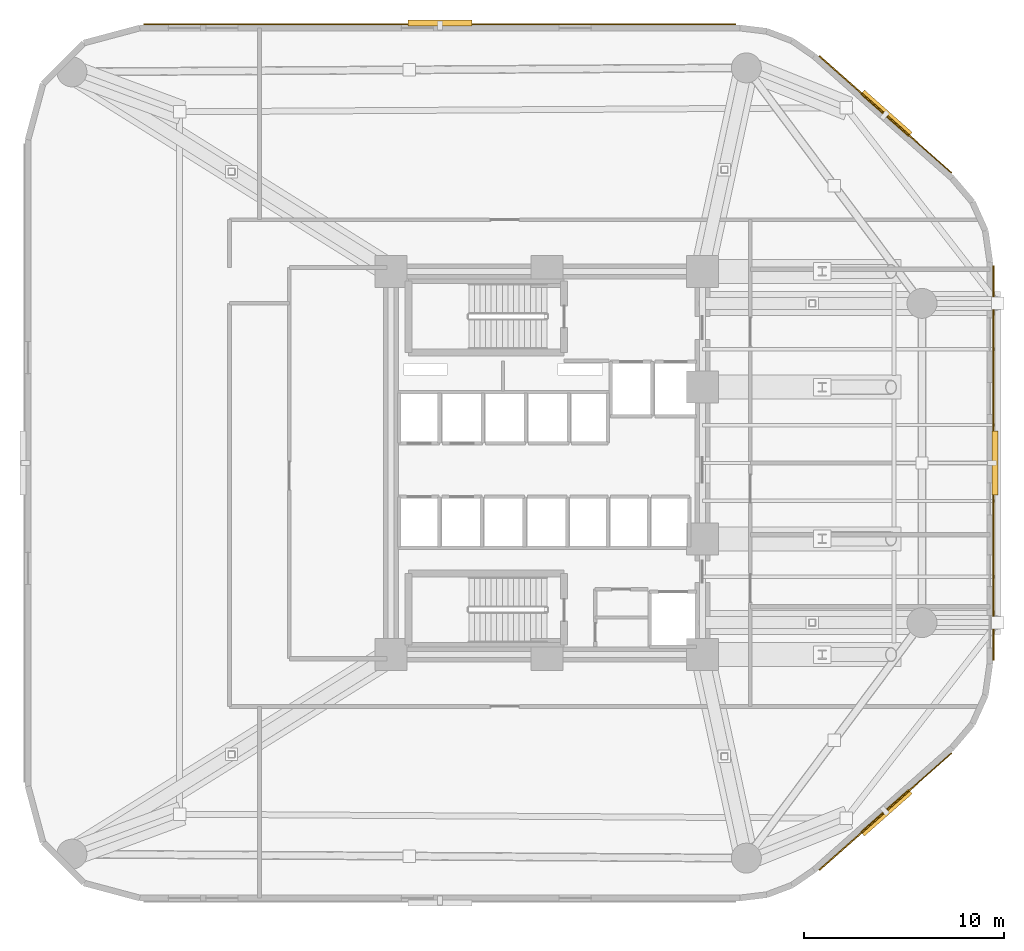
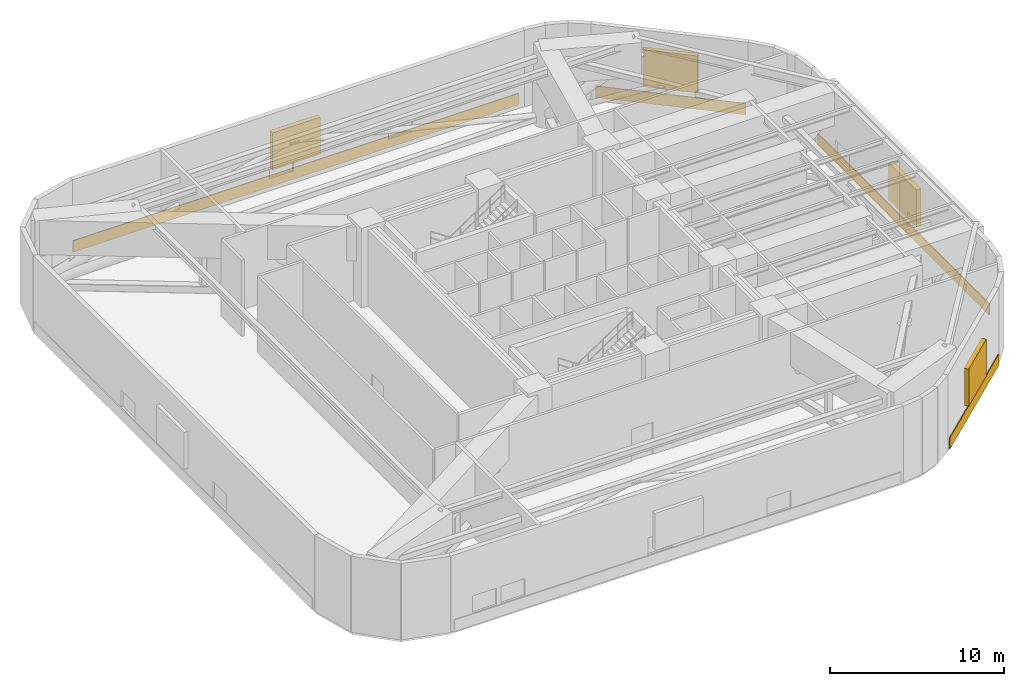
# One storey, part 11 of 11: 4 coverings, 4 shading devices.
"""IFC4 building model written with IfcOpenShell, lengths in metres."""

import ifcopenshell
import ifcopenshell.guid

model = None  # the IFC model being written
_history = None  # IfcOwnerHistory: only IFC2X3 demands one
_inside = {}  # id of a spatial element -> (the spatial element, [elements in it])
_under = {}  # id of a project, library or spatial element -> (it, [spatial elements below it])
_declared = {}  # id of a project -> (the project, [libraries it declares])
_typed = {}  # id of a type object -> (the type object, [elements of that type])
_made_of = {}  # id of a material, layer set ... -> (it, [elements and type objects made of it])


def new_model(schema):
    """Start an empty IFC model of exactly this schema.

    Asked for "IFC4X3", IfcOpenShell would pick the latest addendum, in which some entities
    have other attributes; the version numbers below select the first issue.
    IFC2X3 requires an IfcOwnerHistory on every rooted entity: one is made here for all.
    """
    global model, _history
    if schema == "IFC4X3":
        model = ifcopenshell.file(schema_version=(4, 3, 0, 0))
    else:
        model = ifcopenshell.file(schema=schema)
    _inside.clear()
    _under.clear()
    _declared.clear()
    _typed.clear()
    _made_of.clear()
    _history = None
    if model.schema == "IFC2X3":
        org = make("IfcOrganization", Name="unknown")
        user = make(
            "IfcPersonAndOrganization",
            ThePerson=make("IfcPerson", FamilyName="unknown"),
            TheOrganization=org,
        )
        app = make(
            "IfcApplication",
            ApplicationDeveloper=org,
            Version="unknown",
            ApplicationFullName="unknown",
            ApplicationIdentifier="unknown",
        )
        _history = make(
            "IfcOwnerHistory",
            OwningUser=user,
            OwningApplication=app,
            ChangeAction="ADDED",
            CreationDate=0,
        )
    return model


def make(cls, **values):
    """One entity of the class cls with the attributes given. An attribute that is None is left unset."""
    return model.create_entity(
        cls, **{name: value for name, value in values.items() if value is not None}
    )


def rooted(cls, **values):
    """An entity with a GlobalId (a new one), such as an element, a storey or a relation."""
    return make(cls, GlobalId=ifcopenshell.guid.new(), OwnerHistory=_history, **values)


def si_unit(unit_type, name, prefix=None):
    """IfcSIUnit, for example si_unit("LENGTHUNIT", "METRE", prefix="MILLI")."""
    return make("IfcSIUnit", UnitType=unit_type, Prefix=prefix, Name=name)


def assignment(units):
    """IfcUnitAssignment: the units of a project."""
    return None if units is None else make("IfcUnitAssignment", Units=units)


def point(xyz):
    """IfcCartesianPoint."""
    return None if xyz is None else make("IfcCartesianPoint", Coordinates=xyz)


def direction(xyz):
    """IfcDirection."""
    return None if xyz is None else make("IfcDirection", DirectionRatios=xyz)


def frame(location, z_axis=None, x_axis=None):
    """IfcAxis2Placement3D, a coordinate frame: its origin and axes. An axis left out is left unset."""
    return make(
        "IfcAxis2Placement3D",
        Location=point(location),
        Axis=direction(z_axis),
        RefDirection=direction(x_axis),
    )


def frame_2d(location, x_axis=None):
    """IfcAxis2Placement2D, a coordinate frame in the plane: its origin and x axis."""
    return make(
        "IfcAxis2Placement2D", Location=point(location), RefDirection=direction(x_axis)
    )


def origin():
    """The frame at (0, 0, 0) with its axes left unset."""
    return frame((0.0, 0.0, 0.0))


def origin_2d():
    """The frame at (0, 0) in the plane with its x axis left unset."""
    return frame_2d((0.0, 0.0))


def place(relative_to, where):
    """IfcLocalPlacement: puts the frame where relative to a parent placement (None: the world)."""
    return make(
        "IfcLocalPlacement", PlacementRelTo=relative_to, RelativePlacement=where
    )


def context(
    kind, dimensions, precision=None, world=None, true_north=None, identifier=None
):
    """IfcGeometricRepresentationContext, for example the 3D "Model" context."""
    return make(
        "IfcGeometricRepresentationContext",
        ContextIdentifier=identifier,
        ContextType=kind,
        CoordinateSpaceDimension=dimensions,
        Precision=precision,
        WorldCoordinateSystem=world,
        TrueNorth=true_north,
    )


def subcontext(parent, identifier, kind, view, scale=None):
    """IfcGeometricRepresentationSubContext, for example "Body" below "Model"."""
    return make(
        "IfcGeometricRepresentationSubContext",
        ContextIdentifier=identifier,
        ContextType=kind,
        ParentContext=parent,
        TargetScale=scale,
        TargetView=view,
    )


def project(units=None, contexts=None):
    """IfcProject with its units and contexts."""
    return rooted(
        "IfcProject",
        Name="project",
        RepresentationContexts=contexts,
        UnitsInContext=assignment(units),
    )


def spatial(cls, under=None, at=None, **own):
    """A site, building, storey or space (cls), placed at a placement, below another one or the project."""
    s = rooted(cls, ObjectPlacement=at, **own)
    if under is not None:
        _under.setdefault(under.id(), (under, []))[1].append(s)
    return s


def profile(cls, at=None, kind="AREA", **sizes):
    """A parametric profile (cls). Its sizes go by their IFC names, for example OverallWidth=200.0."""
    return make(cls, ProfileType=kind, Position=at, **sizes)


def rectangle(**sizes):
    """IfcRectangleProfileDef."""
    return profile("IfcRectangleProfileDef", **sizes)


def extrude(swept, where, along, depth):
    """IfcExtrudedAreaSolid: the profile swept, set in the frame where, extruded along a direction by depth."""
    return make(
        "IfcExtrudedAreaSolid",
        SweptArea=swept,
        Position=where,
        ExtrudedDirection=direction(along),
        Depth=depth,
    )


def shape(context_of_items, identifier, shape_type, items):
    """IfcShapeRepresentation: the items that make up one representation, for example the "Body"."""
    return make(
        "IfcShapeRepresentation",
        ContextOfItems=context_of_items,
        RepresentationIdentifier=identifier,
        RepresentationType=shape_type,
        Items=items,
    )


def material(Name=None, Category=None):
    """IfcMaterial."""
    return make("IfcMaterial", Name=Name, Category=Category)


def layer(
    of_material, thickness, ventilated=None, Name=None, Category=None, Priority=None
):
    """IfcMaterialLayer: one layer of a wall or slab, of a material (None: an air gap)."""
    return make(
        "IfcMaterialLayer",
        Material=of_material,
        LayerThickness=thickness,
        IsVentilated=ventilated,
        Name=Name,
        Category=Category,
        Priority=Priority,
    )


def layer_set(layers, Name=None):
    """IfcMaterialLayerSet."""
    return make("IfcMaterialLayerSet", MaterialLayers=layers, LayerSetName=Name)


def made_of(thing, what):
    """Note that an element or type object is made of a material, layer set ...; save() writes the relation."""
    if what is not None:
        _made_of.setdefault(what.id(), (what, []))[1].append(thing)
    return thing


def type_object(cls, material=None, **own):
    """A type object (cls), such as IfcWallType, which elements share."""
    return made_of(rooted(cls, **own), material)


def element(
    cls,
    number,
    at=None,
    inside=None,
    cuts=None,
    type_object=None,
    material=None,
    context=None,
    identifier="Body",
    shape_type=None,
    held_by="IfcProductDefinitionShape",
    body=None,
    shapes=None,
    **own,
):
    """One element of the class cls, such as IfcWall. Its Tag is "e" and its number.

    at: its placement. inside: the storey or other place that contains it. cuts: it is an
    opening in that element (IfcRelVoidsElement). A single representation is given by context,
    identifier, shape_type and body (its items); several are given by shapes. held_by: the class
    of the entity that holds the representations. save() writes the other relations.
    """
    e = rooted(cls, Tag="e%d" % number, ObjectPlacement=at, **own)
    if body is not None:
        shapes = [shape(context, identifier, shape_type, body)]
    if shapes is not None:
        e.Representation = make(held_by, Representations=shapes)
    if inside is not None:
        _inside.setdefault(inside.id(), (inside, []))[1].append(e)
    if cuts is not None:
        rooted(
            "IfcRelVoidsElement", RelatingBuildingElement=cuts, RelatedOpeningElement=e
        )
    if type_object is not None:
        _typed.setdefault(type_object.id(), (type_object, []))[1].append(e)
    return made_of(e, material)


def aggregate(whole, parts):
    """IfcRelAggregates: a whole, such as a stair, and the parts it consists of."""
    return rooted("IfcRelAggregates", RelatingObject=whole, RelatedObjects=parts)


def save(model, path):
    """Write the relations noted so far, then the file.

    IfcRelAggregates (storeys below a building ...), IfcRelContainedInSpatialStructure (elements
    in a storey), IfcRelDefinesByType, IfcRelAssociatesMaterial and IfcRelDeclares: one each for
    every whole, place, type object, material and project.
    """
    for whole, parts in _under.values():
        aggregate(whole, parts)
    for where, things in _inside.values():
        rooted(
            "IfcRelContainedInSpatialStructure",
            RelatedElements=things,
            RelatingStructure=where,
        )
    for kind, things in _typed.values():
        rooted("IfcRelDefinesByType", RelatedObjects=things, RelatingType=kind)
    for what, things in _made_of.values():
        rooted("IfcRelAssociatesMaterial", RelatedObjects=things, RelatingMaterial=what)
    for by, libraries in _declared.values():
        rooted("IfcRelDeclares", RelatingContext=by, RelatedDefinitions=libraries)
    model.write(path)


model = new_model("IFC4")

# Units and contexts
model_context = context("Model", 3, precision=1e-05, world=origin(), true_north=direction((0.0, 1.0)))
body_context = subcontext(model_context, "Body", "Model", "MODEL_VIEW")
ifc_project = project(units=[si_unit("LENGTHUNIT", "METRE"), si_unit("AREAUNIT", "SQUARE_METRE"), si_unit("VOLUMEUNIT", "CUBIC_METRE"), si_unit("PLANEANGLEUNIT", "RADIAN"), si_unit("MASSUNIT", "GRAM", prefix="KILO")], contexts=[model_context])

# Site, building, storey
site_placement = place(None, origin())
site = spatial("IfcSite", under=ifc_project, at=site_placement, CompositionType="ELEMENT")
building_placement = place(site_placement, origin())
building = spatial("IfcBuilding", under=site, at=building_placement, Name="An Khanh Terracotta Commons", CompositionType="ELEMENT")
storey_placement = place(building_placement, frame((0.0, 0.0, 75.60009765625)))
storey = spatial("IfcBuildingStorey", under=building, at=storey_placement, Name="L20", CompositionType="ELEMENT", Elevation=75.60009765625)

# Shading devices
ifc_material_1 = material(Name="Anodised Aluminium 6063-T6", Category="aluminium")
shading_device_type = type_object("IfcShadingDeviceType", Name="Acoustic Plant Weather Louvre", PredefinedType="USERDEFINED", material=ifc_material_1)
for number, where, z_axis, x_axis, name in (
    (1, (46.4150390625, 6.47998046875, 1.199951171875), (0.0, 0.0, 1.0), (0.749019284633, 0.662548195415, 0.0), "L20 Refuge Acoustic Louvre 8"),
    (2, (51.85009765625, 24.0, 1.199951171875), (0.0, 0.0, 1.0), (0.0, 1.0, 0.0), "L20 Refuge Acoustic Louvre 12"),
    (3, (46.4150390625, 41.52001953125, 1.199951171875), (0.0, 0.0, 1.0), (-0.749019284633, 0.662548195415, 0.0), "L20 Refuge Acoustic Louvre 16"),
    (4, (24.0400390625, 46.050048828125, 1.199951171875), (0.0, 0.0, 1.0), (-1.0, 0.0, 0.0), "L20 Refuge Acoustic Louvre 20"),
):
    element("IfcShadingDevice", number, at=place(storey_placement, frame(where, z_axis=z_axis, x_axis=x_axis)), inside=storey, type_object=shading_device_type, Name=name, ObjectType="LOUVRE", PredefinedType="USERDEFINED", context=body_context, shape_type="SweptSolid", body=[
        extrude(rectangle(XDim=3.199951171875, YDim=0.300048828125, at=origin_2d()), origin(), (0.0, 0.0, 1.0), 2.60009765625),
    ])

# Coverings
ifc_material_2 = material(Name="Fired Terracotta Rainscreen Cladding", Category="masonry")
ifc_layer = layer(ifc_material_2, 0.06005859375, Name="Fired Terracotta Rainscreen Cladding")
ifc_layer_set = layer_set([ifc_layer], Name="Fired Terracotta Rainscreen Cladding")
covering_type = type_object("IfcCoveringType", Name="COV-SPANDREL-TERRA", PredefinedType="CLADDING", material=ifc_layer_set)
covering_1_placement = place(storey_placement, frame((46.368896484375, 6.531982421875, 0.02001953125), z_axis=(0.0, 0.0, 1.0), x_axis=(0.749019284633, 0.662548195415, 0.0)))
element("IfcCovering", 5, at=covering_1_placement, inside=storey, type_object=covering_type, Name="L20 Terracotta Spandrel Cladding 8", PredefinedType="CLADDING", context=body_context, shape_type="SweptSolid", body=[
    extrude(rectangle(XDim=8.840087890625, YDim=0.06005859375, at=origin_2d()), origin(), (0.0, 0.0, 1.0), 0.800048828125),
])
covering_2_placement = place(storey_placement, frame((51.780029296875, 24.0, 0.02001953125), z_axis=(0.0, 0.0, 1.0), x_axis=(0.0, 1.0, 0.0)))
element("IfcCovering", 6, at=covering_2_placement, inside=storey, type_object=covering_type, Name="L20 Terracotta Spandrel Cladding 12", PredefinedType="CLADDING", context=body_context, shape_type="SweptSolid", body=[
    extrude(rectangle(XDim=19.75390625, YDim=0.06005859375, at=origin_2d()), origin(), (0.0, 0.0, 1.0), 0.800048828125),
])
covering_3_placement = place(storey_placement, frame((46.368896484375, 41.468017578125, 0.02001953125), z_axis=(0.0, 0.0, 1.0), x_axis=(-0.749019284633, 0.662548195415, 0.0)))
element("IfcCovering", 7, at=covering_3_placement, inside=storey, type_object=covering_type, Name="L20 Terracotta Spandrel Cladding 16", PredefinedType="CLADDING", context=body_context, shape_type="SweptSolid", body=[
    extrude(rectangle(XDim=8.840087890625, YDim=0.06005859375, at=origin_2d()), origin(), (0.0, 0.0, 1.0), 0.800048828125),
])
covering_4_placement = place(storey_placement, frame((24.0400390625, 45.97998046875, 0.02001953125), z_axis=(0.0, 0.0, 1.0), x_axis=(-1.0, 0.0, 0.0)))
element("IfcCovering", 8, at=covering_4_placement, inside=storey, type_object=covering_type, Name="L20 Terracotta Spandrel Cladding 20", PredefinedType="CLADDING", context=body_context, shape_type="SweptSolid", body=[
    extrude(rectangle(XDim=29.678955078125, YDim=0.06005859375, at=origin_2d()), origin(), (0.0, 0.0, 1.0), 0.800048828125),
])

save(model, "model.ifc")
